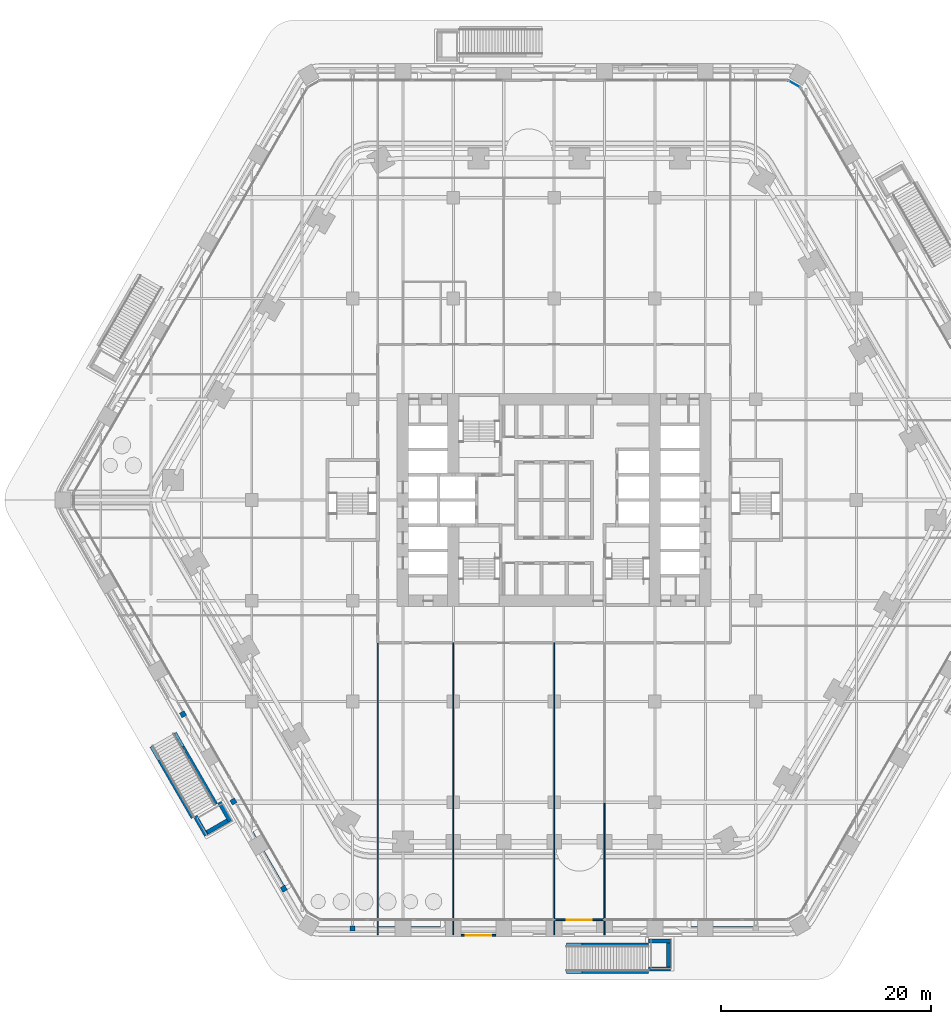
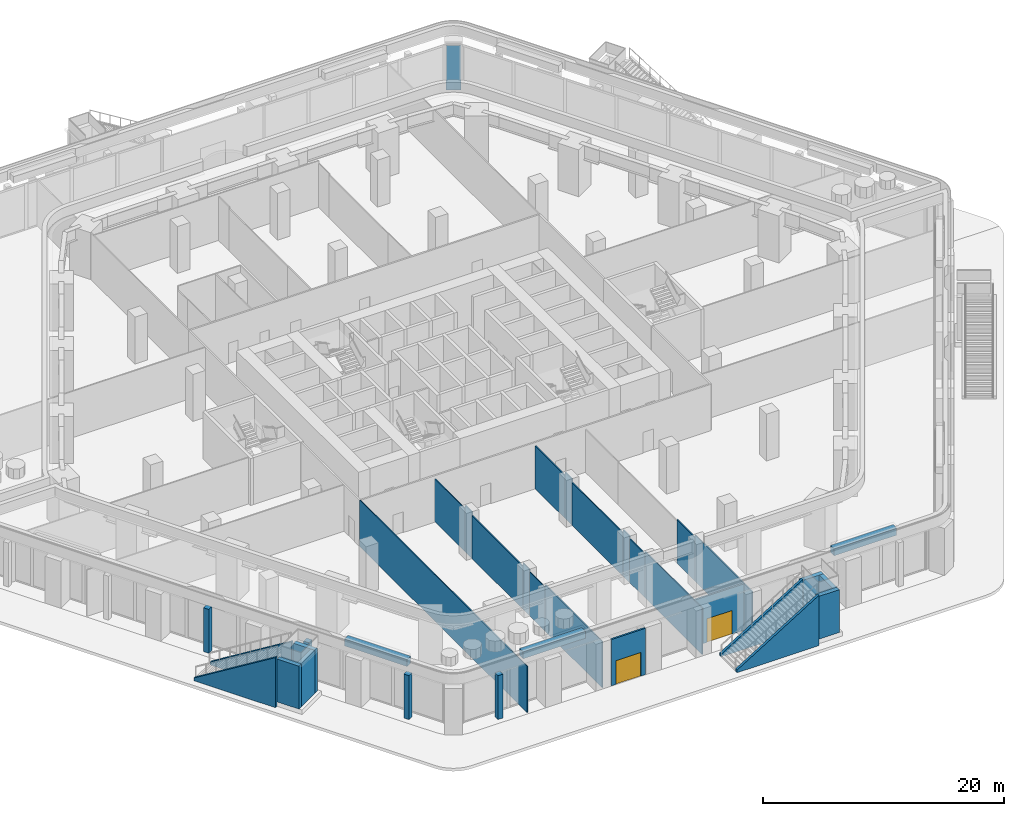
# One storey, part 18 of 34: 34 walls, 2 doors, 1 plate, 2 openings, 1 element without a shape of its own.
"""IFC4 building model written with IfcOpenShell, lengths in metres."""

import ifcopenshell
import ifcopenshell.guid

model = None  # the IFC model being written
_history = None  # IfcOwnerHistory: only IFC2X3 demands one
_inside = {}  # id of a spatial element -> (the spatial element, [elements in it])
_under = {}  # id of a project, library or spatial element -> (it, [spatial elements below it])
_declared = {}  # id of a project -> (the project, [libraries it declares])
_typed = {}  # id of a type object -> (the type object, [elements of that type])
_made_of = {}  # id of a material, layer set ... -> (it, [elements and type objects made of it])


def new_model(schema):
    """Start an empty IFC model of exactly this schema.

    Asked for "IFC4X3", IfcOpenShell would pick the latest addendum, in which some entities
    have other attributes; the version numbers below select the first issue.
    IFC2X3 requires an IfcOwnerHistory on every rooted entity: one is made here for all.
    """
    global model, _history
    if schema == "IFC4X3":
        model = ifcopenshell.file(schema_version=(4, 3, 0, 0))
    else:
        model = ifcopenshell.file(schema=schema)
    _inside.clear()
    _under.clear()
    _declared.clear()
    _typed.clear()
    _made_of.clear()
    _history = None
    if model.schema == "IFC2X3":
        org = make("IfcOrganization", Name="unknown")
        user = make(
            "IfcPersonAndOrganization",
            ThePerson=make("IfcPerson", FamilyName="unknown"),
            TheOrganization=org,
        )
        app = make(
            "IfcApplication",
            ApplicationDeveloper=org,
            Version="unknown",
            ApplicationFullName="unknown",
            ApplicationIdentifier="unknown",
        )
        _history = make(
            "IfcOwnerHistory",
            OwningUser=user,
            OwningApplication=app,
            ChangeAction="ADDED",
            CreationDate=0,
        )
    return model


def make(cls, **values):
    """One entity of the class cls with the attributes given. An attribute that is None is left unset."""
    return model.create_entity(
        cls, **{name: value for name, value in values.items() if value is not None}
    )


def rooted(cls, **values):
    """An entity with a GlobalId (a new one), such as an element, a storey or a relation."""
    return make(cls, GlobalId=ifcopenshell.guid.new(), OwnerHistory=_history, **values)


def si_unit(unit_type, name, prefix=None):
    """IfcSIUnit, for example si_unit("LENGTHUNIT", "METRE", prefix="MILLI")."""
    return make("IfcSIUnit", UnitType=unit_type, Prefix=prefix, Name=name)


def assignment(units):
    """IfcUnitAssignment: the units of a project."""
    return None if units is None else make("IfcUnitAssignment", Units=units)


def point(xyz):
    """IfcCartesianPoint."""
    return None if xyz is None else make("IfcCartesianPoint", Coordinates=xyz)


def direction(xyz):
    """IfcDirection."""
    return None if xyz is None else make("IfcDirection", DirectionRatios=xyz)


def frame(location, z_axis=None, x_axis=None):
    """IfcAxis2Placement3D, a coordinate frame: its origin and axes. An axis left out is left unset."""
    return make(
        "IfcAxis2Placement3D",
        Location=point(location),
        Axis=direction(z_axis),
        RefDirection=direction(x_axis),
    )


def frame_2d(location, x_axis=None):
    """IfcAxis2Placement2D, a coordinate frame in the plane: its origin and x axis."""
    return make(
        "IfcAxis2Placement2D", Location=point(location), RefDirection=direction(x_axis)
    )


def origin():
    """The frame at (0, 0, 0) with its axes left unset."""
    return frame((0.0, 0.0, 0.0))


def origin_2d():
    """The frame at (0, 0) in the plane with its x axis left unset."""
    return frame_2d((0.0, 0.0))


def place(relative_to, where):
    """IfcLocalPlacement: puts the frame where relative to a parent placement (None: the world)."""
    return make(
        "IfcLocalPlacement", PlacementRelTo=relative_to, RelativePlacement=where
    )


def context(
    kind, dimensions, precision=None, world=None, true_north=None, identifier=None
):
    """IfcGeometricRepresentationContext, for example the 3D "Model" context."""
    return make(
        "IfcGeometricRepresentationContext",
        ContextIdentifier=identifier,
        ContextType=kind,
        CoordinateSpaceDimension=dimensions,
        Precision=precision,
        WorldCoordinateSystem=world,
        TrueNorth=true_north,
    )


def subcontext(parent, identifier, kind, view, scale=None):
    """IfcGeometricRepresentationSubContext, for example "Body" below "Model"."""
    return make(
        "IfcGeometricRepresentationSubContext",
        ContextIdentifier=identifier,
        ContextType=kind,
        ParentContext=parent,
        TargetScale=scale,
        TargetView=view,
    )


def project(units=None, contexts=None):
    """IfcProject with its units and contexts."""
    return rooted(
        "IfcProject",
        Name="project",
        RepresentationContexts=contexts,
        UnitsInContext=assignment(units),
    )


def spatial(cls, under=None, at=None, **own):
    """A site, building, storey or space (cls), placed at a placement, below another one or the project."""
    s = rooted(cls, ObjectPlacement=at, **own)
    if under is not None:
        _under.setdefault(under.id(), (under, []))[1].append(s)
    return s


def polyline(points):
    """IfcPolyline through the points."""
    return make("IfcPolyline", Points=[point(p) for p in points])


def profile(cls, at=None, kind="AREA", **sizes):
    """A parametric profile (cls). Its sizes go by their IFC names, for example OverallWidth=200.0."""
    return make(cls, ProfileType=kind, Position=at, **sizes)


def rectangle(**sizes):
    """IfcRectangleProfileDef."""
    return profile("IfcRectangleProfileDef", **sizes)


def outline(outer, holes=None, kind="AREA"):
    """IfcArbitraryClosedProfileDef: a profile drawn as a closed curve; with holes, ...WithVoids."""
    if holes is None:
        return make("IfcArbitraryClosedProfileDef", ProfileType=kind, OuterCurve=outer)
    return make(
        "IfcArbitraryProfileDefWithVoids",
        ProfileType=kind,
        OuterCurve=outer,
        InnerCurves=holes,
    )


def extrude(swept, where, along, depth):
    """IfcExtrudedAreaSolid: the profile swept, set in the frame where, extruded along a direction by depth."""
    return make(
        "IfcExtrudedAreaSolid",
        SweptArea=swept,
        Position=where,
        ExtrudedDirection=direction(along),
        Depth=depth,
    )


def shape(context_of_items, identifier, shape_type, items):
    """IfcShapeRepresentation: the items that make up one representation, for example the "Body"."""
    return make(
        "IfcShapeRepresentation",
        ContextOfItems=context_of_items,
        RepresentationIdentifier=identifier,
        RepresentationType=shape_type,
        Items=items,
    )


def material(Name=None, Category=None):
    """IfcMaterial."""
    return make("IfcMaterial", Name=Name, Category=Category)


def layer(
    of_material, thickness, ventilated=None, Name=None, Category=None, Priority=None
):
    """IfcMaterialLayer: one layer of a wall or slab, of a material (None: an air gap)."""
    return make(
        "IfcMaterialLayer",
        Material=of_material,
        LayerThickness=thickness,
        IsVentilated=ventilated,
        Name=Name,
        Category=Category,
        Priority=Priority,
    )


def layer_set(layers, Name=None):
    """IfcMaterialLayerSet."""
    return make("IfcMaterialLayerSet", MaterialLayers=layers, LayerSetName=Name)


def made_of(thing, what):
    """Note that an element or type object is made of a material, layer set ...; save() writes the relation."""
    if what is not None:
        _made_of.setdefault(what.id(), (what, []))[1].append(thing)
    return thing


def type_object(cls, material=None, **own):
    """A type object (cls), such as IfcWallType, which elements share."""
    return made_of(rooted(cls, **own), material)


def element(
    cls,
    number,
    at=None,
    inside=None,
    cuts=None,
    type_object=None,
    material=None,
    context=None,
    identifier="Body",
    shape_type=None,
    held_by="IfcProductDefinitionShape",
    body=None,
    shapes=None,
    **own,
):
    """One element of the class cls, such as IfcWall. Its Tag is "e" and its number.

    at: its placement. inside: the storey or other place that contains it. cuts: it is an
    opening in that element (IfcRelVoidsElement). A single representation is given by context,
    identifier, shape_type and body (its items); several are given by shapes. held_by: the class
    of the entity that holds the representations. save() writes the other relations.
    """
    e = rooted(cls, Tag="e%d" % number, ObjectPlacement=at, **own)
    if body is not None:
        shapes = [shape(context, identifier, shape_type, body)]
    if shapes is not None:
        e.Representation = make(held_by, Representations=shapes)
    if inside is not None:
        _inside.setdefault(inside.id(), (inside, []))[1].append(e)
    if cuts is not None:
        rooted(
            "IfcRelVoidsElement", RelatingBuildingElement=cuts, RelatedOpeningElement=e
        )
    if type_object is not None:
        _typed.setdefault(type_object.id(), (type_object, []))[1].append(e)
    return made_of(e, material)


def fill(opening, filler):
    """IfcRelFillsElement: the door or window that sits in an opening."""
    return rooted(
        "IfcRelFillsElement",
        RelatingOpeningElement=opening,
        RelatedBuildingElement=filler,
    )


def aggregate(whole, parts):
    """IfcRelAggregates: a whole, such as a stair, and the parts it consists of."""
    return rooted("IfcRelAggregates", RelatingObject=whole, RelatedObjects=parts)


def save(model, path):
    """Write the relations noted so far, then the file.

    IfcRelAggregates (storeys below a building ...), IfcRelContainedInSpatialStructure (elements
    in a storey), IfcRelDefinesByType, IfcRelAssociatesMaterial and IfcRelDeclares: one each for
    every whole, place, type object, material and project.
    """
    for whole, parts in _under.values():
        aggregate(whole, parts)
    for where, things in _inside.values():
        rooted(
            "IfcRelContainedInSpatialStructure",
            RelatedElements=things,
            RelatingStructure=where,
        )
    for kind, things in _typed.values():
        rooted("IfcRelDefinesByType", RelatedObjects=things, RelatingType=kind)
    for what, things in _made_of.values():
        rooted("IfcRelAssociatesMaterial", RelatedObjects=things, RelatingMaterial=what)
    for by, libraries in _declared.values():
        rooted("IfcRelDeclares", RelatingContext=by, RelatedDefinitions=libraries)
    model.write(path)


model = new_model("IFC4")

# Units and contexts
model_context = context("Model", 3, precision=1e-05, world=origin(), true_north=direction((0.0, 1.0)))
body_context = subcontext(model_context, "Body", "Model", "MODEL_VIEW")
ifc_project = project(units=[si_unit("LENGTHUNIT", "METRE"), si_unit("AREAUNIT", "SQUARE_METRE"), si_unit("VOLUMEUNIT", "CUBIC_METRE"), si_unit("PLANEANGLEUNIT", "RADIAN"), si_unit("MASSUNIT", "GRAM", prefix="KILO")], contexts=[model_context])

# Site, building, storey
site_placement = place(None, origin())
site = spatial("IfcSite", under=ifc_project, at=site_placement, CompositionType="ELEMENT")
building_placement = place(site_placement, origin())
building = spatial("IfcBuilding", under=site, at=building_placement, Name="Kolab Exchange Tower", CompositionType="ELEMENT")
storey_placement = place(building_placement, frame((0.0, 0.0, 12.39990234375)))
storey = spatial("IfcBuildingStorey", under=building, at=storey_placement, Name="L02", CompositionType="ELEMENT", Elevation=12.39990234375)

# Curtain wall, plate
ifc_material_1 = material(Name="Aluminium EN AW-6063 T6", Category="aluminium")
curtain_wall_type = type_object("IfcCurtainWallType", Name="PODIUM STRUCTURAL GLAZING CURTAIN WALL", PredefinedType="NOTDEFINED", material=ifc_material_1)
curtain_wall_placement = place(storey_placement, origin())
curtain_wall = element("IfcCurtainWall", 1, at=curtain_wall_placement, inside=storey, type_object=curtain_wall_type, Name="cw/L02/F1F2-corner", PredefinedType="NOTDEFINED")
ifc_material_2 = material(Name="Clear insulated glazing unit", Category="glass")
ifc_layer_1 = layer(ifc_material_2, 0.035888671875)
ifc_layer_set_1 = layer_set([ifc_layer_1], Name="Clear insulated glazing unit")
plate_type = type_object("IfcPlateType", Name="PODIUM STRUCTURAL GLAZING GLASS PANEL 36", PredefinedType="CURTAIN_PANEL", material=ifc_layer_set_1)
plate_placement = place(storey_placement, frame((22.8828125, 39.63427734375, 0.080078125), z_axis=(0.0, 0.0, 1.0), x_axis=(0.866025390869, -0.50000002237, 0.0)))
plate = element("IfcPlate", 2, at=plate_placement, type_object=plate_type, Name="CW5 panel 1.1", PredefinedType="CURTAIN_PANEL", context=body_context, shape_type="SweptSolid", body=[
    extrude(rectangle(XDim=1.260009765625, YDim=0.035888671875, at=origin_2d()), origin(), (0.0, 0.0, 1.0), 4.5400390625),
])
aggregate(curtain_wall, [plate])

# Wall, opening, door
ifc_layer_2 = layer(ifc_material_1, 0.159912109375)
ifc_layer_set_2 = layer_set([ifc_layer_2], Name="Aluminium EN AW-6063 T6")
wall_type_1 = type_object("IfcWallType", Name="DOOR SURROUND WALL 160 ALUMINIUM FRAMED", PredefinedType="PARTITIONING", material=ifc_layer_set_2)
wall_1_placement = place(storey_placement, frame((4.77001953125, -39.9892578125, 0.0), z_axis=(0.0, 0.0, 1.0), x_axis=(-1.0, 0.0, 0.0)))
wall_1 = element("IfcWall", 3, at=wall_1_placement, inside=storey, type_object=wall_type_1, Name="Door surround wall", PredefinedType="PARTITIONING", context=body_context, shape_type="SweptSolid", body=[
    extrude(rectangle(XDim=4.739990234375, YDim=0.159912109375, at=frame_2d((2.3701171875, 0.0))), origin(), (0.0, 0.0, 1.0), 4.7001953125),
])
opening_1_placement = place(wall_1_placement, frame((1.169921875, 0.0, 0.0)))
opening_1 = element("IfcOpeningElement", 4, at=opening_1_placement, cuts=wall_1, Name="Opening GD1-006", PredefinedType="OPENING", context=body_context, shape_type="SweptSolid", body=[
    extrude(rectangle(XDim=2.39990234375, YDim=2.39990234375, at=frame_2d((1.199951171875, 1.199951171875))), frame((0.0, 0.08984375, 0.0), z_axis=(0.0, -1.0, 0.0), x_axis=(1.0, 0.0, 0.0)), (0.0, 0.0, 1.0), 0.179931640625),
])
door_type = type_object("IfcDoorType", Name="LOGGIA SLIDING GLASS DOOR 2400 X 2400", OperationType="DOUBLE_DOOR_SINGLE_SWING", PredefinedType="DOOR", material=ifc_material_1)
door_1_placement = place(opening_1_placement, origin())
door_1 = element("IfcDoor", 5, at=door_1_placement, inside=storey, type_object=door_type, Name="Loggia door", OperationType="DOUBLE_DOOR_SLIDING", OverallHeight=2.39990234375, OverallWidth=2.39990234375, PredefinedType="DOOR", context=body_context, shape_type="SweptSolid", body=[
    extrude(rectangle(XDim=2.39990234375, YDim=2.39990234375, at=frame_2d((1.199951171875, 1.199951171875))), frame((0.0, 0.02490234375, 0.0), z_axis=(0.0, -1.0, 0.0), x_axis=(1.0, 0.0, 0.0)), (0.0, 0.0, 1.0), 0.050048828125),
])
fill(opening_1, door_1)

wall_2_placement = place(storey_placement, frame((-5.552001953125, -41.46923828125, 0.0), z_axis=(0.0, 0.0, 1.0), x_axis=(-1.0, 0.0, 0.0)))
wall_2 = element("IfcWall", 6, at=wall_2_placement, inside=storey, type_object=wall_type_1, Name="Door surround wall", PredefinedType="PARTITIONING", context=body_context, shape_type="SweptSolid", body=[
    extrude(rectangle(XDim=3.2958984375, YDim=0.159912109375, at=frame_2d((1.64794921875, 0.0))), origin(), (0.0, 0.0, 1.0), 4.7001953125),
])
opening_2_placement = place(wall_2_placement, frame((0.447998046875, 0.0, 0.0)))
opening_2 = element("IfcOpeningElement", 7, at=opening_2_placement, cuts=wall_2, Name="Opening GD1-008", PredefinedType="OPENING", context=body_context, shape_type="SweptSolid", body=[
    extrude(rectangle(XDim=2.39990234375, YDim=2.39990234375, at=frame_2d((1.199951171875, 1.199951171875))), frame((0.0, 0.08984375, 0.0), z_axis=(0.0, -1.0, 0.0), x_axis=(1.0, 0.0, 0.0)), (0.0, 0.0, 1.0), 0.179931640625),
])
door_2_placement = place(opening_2_placement, origin())
door_2 = element("IfcDoor", 8, at=door_2_placement, inside=storey, type_object=door_type, Name="Terrace door", OperationType="DOUBLE_DOOR_SLIDING", OverallHeight=2.39990234375, OverallWidth=2.39990234375, PredefinedType="DOOR", context=body_context, shape_type="SweptSolid", body=[
    extrude(rectangle(XDim=2.39990234375, YDim=2.39990234375, at=frame_2d((1.199951171875, 1.199951171875))), frame((0.0, 0.02490234375, 0.0), z_axis=(0.0, -1.0, 0.0), x_axis=(1.0, 0.0, 0.0)), (0.0, 0.0, 1.0), 0.050048828125),
])
fill(opening_2, door_2)

# Walls
ifc_material_3 = material(Name="Gypsum board", Category="gypsum")
ifc_layer_3 = layer(ifc_material_3, 0.10009765625)
ifc_layer_set_3 = layer_set([ifc_layer_3], Name="Gypsum board")
wall_type_2 = type_object("IfcWallType", Name="PARTITION 100", PredefinedType="PARTITIONING", material=ifc_layer_set_3)
wall_3_placement = place(storey_placement, frame((4.800048828125, -41.399169921875, 0.0), z_axis=(0.0, 0.0, 1.0), x_axis=(0.0, 1.0, 0.0)))
element("IfcWall", 9, at=wall_3_placement, inside=storey, type_object=wall_type_2, Name="Partition 005", PredefinedType="PARTITIONING", context=body_context, shape_type="SweptSolid", body=[
    extrude(rectangle(XDim=9.503662109375, YDim=0.10009765625, at=frame_2d((4.751953125, 0.0))), origin(), (0.0, 0.0, 1.0), 4.7001953125),
])
wall_4_placement = place(storey_placement, frame((4.800048828125, -31.8955078125, 0.0), z_axis=(0.0, 0.0, 1.0), x_axis=(0.0, 1.0, 0.0)))
element("IfcWall", 10, at=wall_4_placement, inside=storey, type_object=wall_type_2, Name="Partition 005", PredefinedType="PARTITIONING", context=body_context, shape_type="SweptSolid", body=[
    extrude(rectangle(XDim=3.021484375, YDim=0.10009765625, at=frame_2d((1.5107421875, 0.0))), origin(), (0.0, 0.0, 1.0), 4.440185546875),
])
wall_5_placement = place(storey_placement, frame((0.0, -41.399169921875, 0.0), z_axis=(0.0, 0.0, 1.0), x_axis=(0.0, 1.0, 0.0)))
element("IfcWall", 11, at=wall_5_placement, inside=storey, type_object=wall_type_2, Name="Partition 007", PredefinedType="PARTITIONING", context=body_context, shape_type="SweptSolid", body=[
    extrude(rectangle(XDim=9.503662109375, YDim=0.10009765625, at=frame_2d((4.751953125, 0.0))), origin(), (0.0, 0.0, 1.0), 4.7001953125),
])
wall_6_placement = place(storey_placement, frame((0.0, -31.8955078125, 0.0), z_axis=(0.0, 0.0, 1.0), x_axis=(0.0, 1.0, 0.0)))
element("IfcWall", 12, at=wall_6_placement, inside=storey, type_object=wall_type_2, Name="Partition 007", PredefinedType="PARTITIONING", context=body_context, shape_type="SweptSolid", body=[
    extrude(rectangle(XDim=2.535400390625, YDim=0.10009765625, at=frame_2d((1.267578125, 0.0))), origin(), (0.0, 0.0, 1.0), 4.440185546875),
])
wall_7_placement = place(storey_placement, frame((0.0, -29.360107421875, 0.0), z_axis=(0.0, 0.0, 1.0), x_axis=(0.0, 1.0, 0.0)))
element("IfcWall", 13, at=wall_7_placement, inside=storey, type_object=wall_type_2, Name="Partition 007", PredefinedType="PARTITIONING", context=body_context, shape_type="SweptSolid", body=[
    extrude(rectangle(XDim=1.1201171875, YDim=0.10009765625, at=frame_2d((0.56005859375, 0.0))), origin(), (0.0, 0.0, 1.0), 4.7001953125),
])
wall_8_placement = place(storey_placement, frame((0.0, -28.239990234375, 0.0), z_axis=(0.0, 0.0, 1.0), x_axis=(0.0, 1.0, 0.0)))
element("IfcWall", 14, at=wall_8_placement, inside=storey, type_object=wall_type_2, Name="Partition 007", PredefinedType="PARTITIONING", context=body_context, shape_type="SweptSolid", body=[
    extrude(rectangle(XDim=8.47998046875, YDim=0.10009765625, at=frame_2d((4.239990234375, 0.0))), origin(), (0.0, 0.0, 1.0), 4.343017578125),
])
wall_9_placement = place(storey_placement, frame((0.0, -19.760009765625, 0.0), z_axis=(0.0, 0.0, 1.0), x_axis=(0.0, 1.0, 0.0)))
element("IfcWall", 15, at=wall_9_placement, inside=storey, type_object=wall_type_2, Name="Partition 007", PredefinedType="PARTITIONING", context=body_context, shape_type="SweptSolid", body=[
    extrude(rectangle(XDim=1.1201171875, YDim=0.10009765625, at=frame_2d((0.56005859375, 0.0))), origin(), (0.0, 0.0, 1.0), 4.7001953125),
])
wall_10_placement = place(storey_placement, frame((0.0, -18.639892578125, 0.0), z_axis=(0.0, 0.0, 1.0), x_axis=(0.0, 1.0, 0.0)))
element("IfcWall", 16, at=wall_10_placement, inside=storey, type_object=wall_type_2, Name="Partition 007", PredefinedType="PARTITIONING", context=body_context, shape_type="SweptSolid", body=[
    extrude(rectangle(XDim=5.039794921875, YDim=0.10009765625, at=frame_2d((2.52001953125, 0.0))), origin(), (0.0, 0.0, 1.0), 4.343017578125),
])
wall_11_placement = place(storey_placement, frame((-9.60009765625, -41.399169921875, 0.0), z_axis=(0.0, 0.0, 1.0), x_axis=(0.0, 1.0, 0.0)))
element("IfcWall", 17, at=wall_11_placement, inside=storey, type_object=wall_type_2, Name="Partition 012", PredefinedType="PARTITIONING", context=body_context, shape_type="SweptSolid", body=[
    extrude(rectangle(XDim=9.503662109375, YDim=0.10009765625, at=frame_2d((4.751953125, 0.0))), origin(), (0.0, 0.0, 1.0), 4.7001953125),
])
wall_12_placement = place(storey_placement, frame((-9.60009765625, -31.8955078125, 0.0), z_axis=(0.0, 0.0, 1.0), x_axis=(0.0, 1.0, 0.0)))
element("IfcWall", 18, at=wall_12_placement, inside=storey, type_object=wall_type_2, Name="Partition 012", PredefinedType="PARTITIONING", context=body_context, shape_type="SweptSolid", body=[
    extrude(rectangle(XDim=2.535400390625, YDim=0.10009765625, at=frame_2d((1.267578125, 0.0))), origin(), (0.0, 0.0, 1.0), 4.440185546875),
])
wall_13_placement = place(storey_placement, frame((-9.60009765625, -29.360107421875, 0.0), z_axis=(0.0, 0.0, 1.0), x_axis=(0.0, 1.0, 0.0)))
element("IfcWall", 19, at=wall_13_placement, inside=storey, type_object=wall_type_2, Name="Partition 012", PredefinedType="PARTITIONING", context=body_context, shape_type="SweptSolid", body=[
    extrude(rectangle(XDim=1.1201171875, YDim=0.10009765625, at=frame_2d((0.56005859375, 0.0))), origin(), (0.0, 0.0, 1.0), 4.7001953125),
])
wall_14_placement = place(storey_placement, frame((-9.60009765625, -28.239990234375, 0.0), z_axis=(0.0, 0.0, 1.0), x_axis=(0.0, 1.0, 0.0)))
element("IfcWall", 20, at=wall_14_placement, inside=storey, type_object=wall_type_2, Name="Partition 012", PredefinedType="PARTITIONING", context=body_context, shape_type="SweptSolid", body=[
    extrude(rectangle(XDim=8.47998046875, YDim=0.10009765625, at=frame_2d((4.239990234375, 0.0))), origin(), (0.0, 0.0, 1.0), 4.343017578125),
])
wall_15_placement = place(storey_placement, frame((-9.60009765625, -19.760009765625, 0.0), z_axis=(0.0, 0.0, 1.0), x_axis=(0.0, 1.0, 0.0)))
element("IfcWall", 21, at=wall_15_placement, inside=storey, type_object=wall_type_2, Name="Partition 012", PredefinedType="PARTITIONING", context=body_context, shape_type="SweptSolid", body=[
    extrude(rectangle(XDim=1.1201171875, YDim=0.10009765625, at=frame_2d((0.56005859375, 0.0))), origin(), (0.0, 0.0, 1.0), 4.7001953125),
])
wall_16_placement = place(storey_placement, frame((-9.60009765625, -18.639892578125, 0.0), z_axis=(0.0, 0.0, 1.0), x_axis=(0.0, 1.0, 0.0)))
element("IfcWall", 22, at=wall_16_placement, inside=storey, type_object=wall_type_2, Name="Partition 012", PredefinedType="PARTITIONING", context=body_context, shape_type="SweptSolid", body=[
    extrude(rectangle(XDim=5.039794921875, YDim=0.10009765625, at=frame_2d((2.52001953125, 0.0))), origin(), (0.0, 0.0, 1.0), 4.343017578125),
])
wall_17_placement = place(storey_placement, frame((-16.800048828125, -41.399169921875, 0.0), z_axis=(0.0, 0.0, 1.0), x_axis=(0.0, 1.0, 0.0)))
element("IfcWall", 23, at=wall_17_placement, inside=storey, type_object=wall_type_2, Name="Partition 016", PredefinedType="PARTITIONING", context=body_context, shape_type="SweptSolid", body=[
    extrude(rectangle(XDim=27.799072265625, YDim=0.10009765625, at=frame_2d((13.8994140625, 0.0))), origin(), (0.0, 0.0, 1.0), 4.7001953125),
])
ifc_material_4 = material(Name="Granite facing", Category="masonry")
ifc_layer_4 = layer(ifc_material_4, 0.0400390625)
ifc_material_5 = material(Name="Concrete C40/50 precast", Category="concrete")
ifc_layer_5 = layer(ifc_material_5, 0.56005859375)
ifc_layer_set_4 = layer_set([ifc_layer_4, ifc_layer_5], Name="Concrete C40/50 precast")
wall_type_3 = type_object("IfcWallType", Name="PLANTER BOX 600 X 700 SOIL DEPTH 550", PredefinedType="USERDEFINED", material=ifc_layer_set_4)
for number, where, z_axis, x_axis, name in (
    (24, (-10.80615234375, -40.369140625, 5.0), (0.0, 0.0, 1.0), (-1.0, 0.0, 0.0), "Planter"),
    (25, (19.032958984375, -40.369140625, 5.0), (0.0, 0.0, 1.0), (-1.0, 0.0, 0.0), "Planter"),
    (26, (-25.4443359375, -36.667724609375, 5.0), (0.0, 0.0, 1.0), (-0.499990139034, 0.866031096941, 0.0), "Planter"),
):
    element("IfcWall", number, at=place(storey_placement, frame(where, z_axis=z_axis, x_axis=x_axis)), inside=storey, type_object=wall_type_3, Name=name, ObjectType="PLANTER", PredefinedType="USERDEFINED", context=body_context, shape_type="SweptSolid", body=[
        extrude(rectangle(XDim=6.0, YDim=0.60009765625, at=frame_2d((3.0, 0.0))), origin(), (0.0, 0.0, 1.0), 0.7001953125),
    ])
ifc_layer_6 = layer(ifc_material_4, 0.0400390625)
ifc_material_6 = material(Name="Concrete C40/50", Category="concrete")
ifc_layer_7 = layer(ifc_material_6, 0.2099609375)
ifc_layer_set_5 = layer_set([ifc_layer_6, ifc_layer_7], Name="Concrete C40/50")
wall_type_4 = type_object("IfcWallType", Name="STAIR CHEEK WALL 250", PredefinedType="SOLIDWALL", material=ifc_layer_set_5)
for number, where, z_axis, x_axis, name in (
    (27, (1.159912109375, -42.34423828125, 0.0), (0.0, 0.0, 1.0), (1.0, 0.0, 0.0), "Stair cheek wall"),
    (28, (1.159912109375, -44.994140625, 0.0), (0.0, 0.0, 1.0), (1.0, 0.0, 0.0), "Stair cheek wall"),
):
    element("IfcWall", number, at=place(storey_placement, frame(where, z_axis=z_axis, x_axis=x_axis)), inside=storey, type_object=wall_type_4, Name=name, PredefinedType="SOLIDWALL", context=body_context, shape_type="SweptSolid", body=[
        extrude(outline(polyline([(0.0, 0.0), (7.840087890625, 0.0), (7.840087890625, 5.10009765625), (0.0, 0.2724609375), (0.0, 0.0)])), frame((0.0, 0.125, 0.0), z_axis=(0.0, -1.0, 0.0), x_axis=(1.0, 0.0, 0.0)), (0.0, 0.0, 1.0), 0.25),
    ])
wall_18_placement = place(storey_placement, frame((-36.091064453125, -22.1767578125, 0.0), z_axis=(0.0, 0.0, 1.0), x_axis=(0.499997407846, -0.86602690036, 0.0)))
element("IfcWall", 29, at=wall_18_placement, inside=storey, type_object=wall_type_4, Name="Stair cheek wall", PredefinedType="SOLIDWALL", context=body_context, shape_type="SweptSolid", body=[
    extrude(outline(polyline([(0.0, 0.0), (7.83984375, 0.0), (7.840087890625, 5.10009765625), (0.0, 0.2724609375), (0.0, 0.0)])), frame((0.0, 0.125, 0.0), z_axis=(0.0, -1.0, 0.0), x_axis=(1.0, 0.0, 0.0)), (0.0, 0.0, 1.0), 0.25),
])
wall_19_placement = place(storey_placement, frame((-38.38623046875, -23.501708984375, 0.0), z_axis=(0.0, 0.0, 1.0), x_axis=(0.500020763015, -0.866013415921, 0.0)))
element("IfcWall", 30, at=wall_19_placement, inside=storey, type_object=wall_type_4, Name="Stair cheek wall", PredefinedType="SOLIDWALL", context=body_context, shape_type="SweptSolid", body=[
    extrude(outline(polyline([(0.0, 0.0), (7.840087890625, 0.0), (7.840087890625, 5.10009765625), (0.0, 0.2724609375), (0.0, 0.0)])), frame((0.0, 0.125, 0.0), z_axis=(0.0, -1.0, 0.0), x_axis=(1.0, 0.0, 0.0)), (0.0, 0.0, 1.0), 0.25),
])
ifc_layer_8 = layer(ifc_material_6, 0.39990234375)
ifc_layer_set_6 = layer_set([ifc_layer_8], Name="Concrete C40/50")
wall_type_5 = type_object("IfcWallType", Name="STAIR LANDING SUPPORT PIER 2100 X 400", PredefinedType="SOLIDWALL", material=ifc_layer_set_6)
for number, where, z_axis, x_axis, name in (
    (31, (11.10009765625, -44.669189453125, 0.4501953125), (0.0, 0.0, 1.0), (-1.0, 0.0, 0.0), "Stair landing support pier"),
    (32, (11.10009765625, -42.019287109375, 0.4501953125), (0.0, 0.0, 1.0), (-1.0, 0.0, 0.0), "Stair landing support pier"),
):
    element("IfcWall", number, at=place(storey_placement, frame(where, z_axis=z_axis, x_axis=x_axis)), inside=storey, type_object=wall_type_5, Name=name, PredefinedType="SOLIDWALL", context=body_context, shape_type="SweptSolid", body=[
        extrude(rectangle(XDim=2.10009765625, YDim=0.39990234375, at=frame_2d((1.050048828125, 0.0))), origin(), (0.0, 0.0, 1.0), 4.349853515625),
    ])
wall_20_placement = place(storey_placement, frame((10.89990234375, -42.21923828125, 0.4501953125), z_axis=(0.0, 0.0, 1.0), x_axis=(0.0, -1.0, 0.0)))
element("IfcWall", 33, at=wall_20_placement, inside=storey, type_object=wall_type_5, Name="Stair landing support pier", PredefinedType="SOLIDWALL", context=body_context, shape_type="SweptSolid", body=[
    extrude(rectangle(XDim=2.25, YDim=0.39990234375, at=frame_2d((1.125, 0.0))), origin(), (0.0, 0.0, 1.0), 4.349853515625),
])
wall_21_placement = place(storey_placement, frame((-33.134765625, -31.947509765625, 0.4501953125), z_axis=(0.0, 0.0, 1.0), x_axis=(-0.49994051562, 0.866059744384, 0.0)))
element("IfcWall", 34, at=wall_21_placement, inside=storey, type_object=wall_type_5, Name="Stair landing support pier", PredefinedType="SOLIDWALL", context=body_context, shape_type="SweptSolid", body=[
    extrude(rectangle(XDim=2.099853515625, YDim=0.39990234375, at=frame_2d((1.0498046875, 0.0))), origin(), (0.0, 0.0, 1.0), 4.349853515625),
])
wall_22_placement = place(storey_placement, frame((-30.839599609375, -30.62255859375, 0.4501953125), z_axis=(0.0, 0.0, 1.0), x_axis=(-0.500027713859, 0.866009402589, 0.0)))
element("IfcWall", 35, at=wall_22_placement, inside=storey, type_object=wall_type_5, Name="Stair landing support pier", PredefinedType="SOLIDWALL", context=body_context, shape_type="SweptSolid", body=[
    extrude(rectangle(XDim=2.10009765625, YDim=0.39990234375, at=frame_2d((1.050048828125, 0.0))), origin(), (0.0, 0.0, 1.0), 4.349853515625),
])
wall_23_placement = place(storey_placement, frame((-31.113037109375, -30.54931640625, 0.4501953125), z_axis=(0.0, 0.0, 1.0), x_axis=(-0.866017533419, -0.500013631625, 0.0)))
element("IfcWall", 36, at=wall_23_placement, inside=storey, type_object=wall_type_5, Name="Stair landing support pier", PredefinedType="SOLIDWALL", context=body_context, shape_type="SweptSolid", body=[
    extrude(rectangle(XDim=2.25, YDim=0.39990234375, at=frame_2d((1.125, 0.0))), origin(), (0.0, 0.0, 1.0), 4.349853515625),
])
ifc_layer_9 = layer(ifc_material_4, 0.5)
ifc_layer_set_7 = layer_set([ifc_layer_9], Name="Granite facing")
wall_type_6 = type_object("IfcWallType", Name="STONE FACADE FIN 500 X 500", PredefinedType="SOLIDWALL", material=ifc_layer_set_7)
wall_24_placement = place(storey_placement, frame((-18.949951171875, -40.819091796875, 0.0), z_axis=(0.0, 0.0, 1.0), x_axis=(-1.0, 0.0, 0.0)))
element("IfcWall", 37, at=wall_24_placement, inside=storey, type_object=wall_type_6, Name="Stone facade fin", PredefinedType="SOLIDWALL", context=body_context, shape_type="SweptSolid", body=[
    extrude(rectangle(XDim=0.5, YDim=0.5, at=frame_2d((0.25, 0.0))), origin(), (0.0, 0.0, 1.0), 4.4501953125),
])
for number, where, z_axis, x_axis, name in (
    (38, (-25.625, -37.25341796875, 0.0), (0.0, 0.0, 1.0), (-0.500131122175, 0.865949687125, 0.0), "Stone facade fin"),
    (39, (-30.425048828125, -28.939453125, 0.0), (0.0, 0.0, 1.0), (-0.500131122175, 0.865949687125, 0.0), "Stone facade fin"),
    (40, (-35.22509765625, -20.62646484375, 0.0), (0.0, 0.0, 1.0), (-0.500131122175, 0.865949687125, 0.0), "Stone facade fin"),
):
    element("IfcWall", number, at=place(storey_placement, frame(where, z_axis=z_axis, x_axis=x_axis)), inside=storey, type_object=wall_type_6, Name=name, PredefinedType="SOLIDWALL", context=body_context, shape_type="SweptSolid", body=[
        extrude(rectangle(XDim=0.499755859375, YDim=0.5, at=frame_2d((0.25, 0.0))), origin(), (0.0, 0.0, 1.0), 4.4501953125),
    ])

save(model, "model.ifc")
